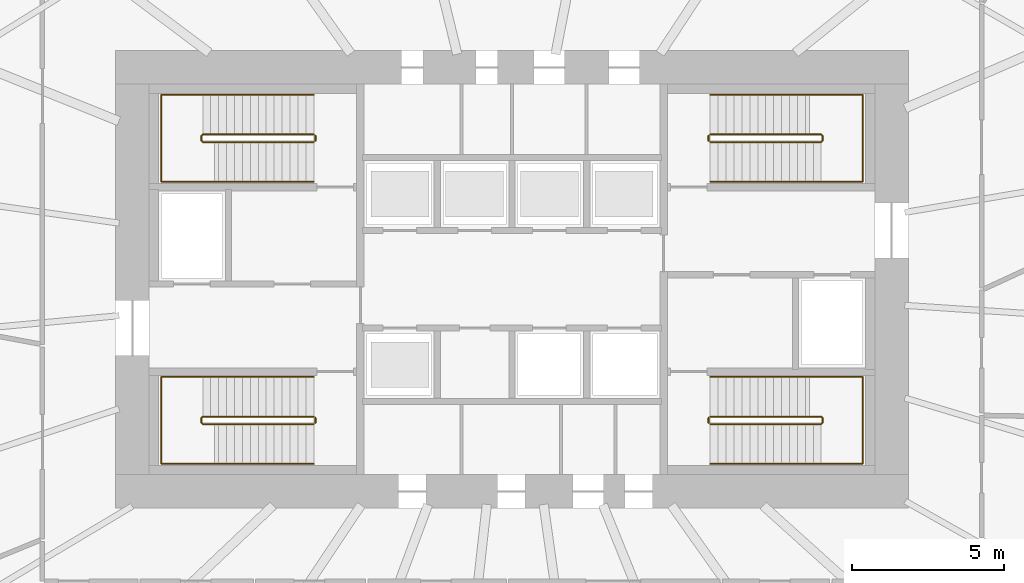
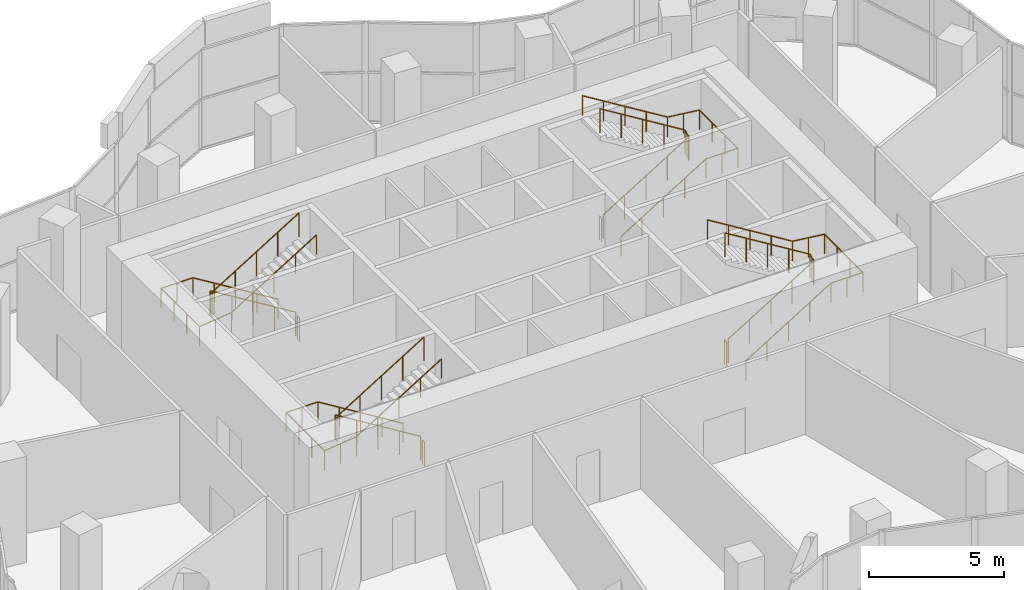
# One storey, part 15 of 16: 12 railings.
"""IFC4 building model written with IfcOpenShell, lengths in metres."""

from ifc_helpers import new_model, si_unit, direction, frame, origin, origin_2d, place, context, subcontext, project, spatial, circle, extrude, material, type_object, element, save


model = new_model("IFC4")

# Units and contexts
model_context = context("Model", 3, precision=1e-05, world=origin(), true_north=direction((0.0, 1.0)))
body_context = subcontext(model_context, "Body", "Model", "MODEL_VIEW")
ifc_project = project(units=[si_unit("LENGTHUNIT", "METRE"), si_unit("AREAUNIT", "SQUARE_METRE"), si_unit("VOLUMEUNIT", "CUBIC_METRE"), si_unit("PLANEANGLEUNIT", "RADIAN"), si_unit("MASSUNIT", "GRAM", prefix="KILO")], contexts=[model_context])

# Site, building, storey
site_placement = place(None, origin())
site = spatial("IfcSite", under=ifc_project, at=site_placement, CompositionType="ELEMENT")
building_placement = place(site_placement, origin())
building = spatial("IfcBuilding", under=site, at=building_placement, Name="Rubra Terraces Tower", CompositionType="ELEMENT")
storey_placement = place(building_placement, frame((0.0, 0.0, 125.699951171875)))
storey = spatial("IfcBuildingStorey", under=building, at=storey_placement, Name="L30", CompositionType="ELEMENT", Elevation=125.699951171875)

# Railings
ifc_material = material(Name="Stainless steel", Category="steel")
railing_type_1 = type_object("IfcRailingType", Name="Core stair guard 1100", PredefinedType="GUARDRAIL", material=ifc_material)
railing_1_placement = place(storey_placement, frame((-6.5, 0.0, 0.16015625)))
element("IfcRailing", 1, at=railing_1_placement, inside=storey, type_object=railing_type_1, Name="L30 stair S1 guard 1", PredefinedType="GUARDRAIL", context=body_context, shape_type="SweptSolid", body=[
    extrude(circle(Radius=0.02392578125, at=origin_2d()), frame((0.0, 0.0, 1.076171875), z_axis=(-0.851652432698, 0.0, 0.524106987055), x_axis=(0.0, -1.0, 0.0)), (0.0, 0.0, 1.0), 4.27392578125),
    extrude(circle(Radius=0.02392578125, at=origin_2d()), frame((-3.639892578125, 0.0, 3.31591796875), z_axis=(-0.707106781187, -0.707106781187, 0.0), x_axis=(0.707106781187, -0.707106781187, 0.0)), (0.0, 0.0, 1.0), 0.07080078125),
    extrude(circle(Radius=0.02392578125, at=origin_2d()), frame((-3.68994140625, -0.050048828125, 3.31591796875), z_axis=(0.0, -1.0, 0.0), x_axis=(1.0, 0.0, 0.0)), (0.0, 0.0, 1.0), 0.14990234375),
    extrude(circle(Radius=0.02392578125, at=origin_2d()), frame((-3.68994140625, -0.199951171875, 3.31591796875), z_axis=(0.286195917343, -0.286195917343, 0.914430857852), x_axis=(0.707106781187, 0.707106781187, 0.0)), (0.0, 0.0, 1.0), 0.1748046875),
    extrude(circle(Radius=0.02392578125, at=origin_2d()), frame((-3.639892578125, -0.25, 3.47607421875), z_axis=(0.851652432698, 0.0, 0.524106987055), x_axis=(0.0, 1.0, 0.0)), (0.0, 0.0, 1.0), 4.27392578125),
    extrude(circle(Radius=0.02099609375, at=origin_2d()), origin(), (0.0, 0.0, 1.0), 1.052001953125),
    extrude(circle(Radius=0.02099609375, at=origin_2d()), frame((-0.909912109375, 0.0, 0.56005859375)), (0.0, 0.0, 1.0), 1.052001953125),
    extrude(circle(Radius=0.02099609375, at=origin_2d()), frame((-1.81982421875, 0.0, 1.1201171875)), (0.0, 0.0, 1.0), 1.052001953125),
    extrude(circle(Radius=0.02099609375, at=origin_2d()), frame((-2.72998046875, 0.0, 1.679931640625)), (0.0, 0.0, 1.0), 1.052001953125),
    extrude(circle(Radius=0.02099609375, at=origin_2d()), frame((-3.639892578125, 0.0, 2.239990234375)), (0.0, 0.0, 1.0), 1.052001953125),
    extrude(circle(Radius=0.02099609375, at=origin_2d()), frame((-3.68994140625, -0.050048828125, 2.239990234375)), (0.0, 0.0, 1.0), 1.052001953125),
    extrude(circle(Radius=0.02099609375, at=origin_2d()), frame((-3.68994140625, -0.199951171875, 2.239990234375)), (0.0, 0.0, 1.0), 1.052001953125),
    extrude(circle(Radius=0.02099609375, at=origin_2d()), frame((-3.639892578125, -0.25, 2.39990234375)), (0.0, 0.0, 1.0), 1.052001953125),
    extrude(circle(Radius=0.02099609375, at=origin_2d()), frame((-2.72998046875, -0.25, 2.9599609375)), (0.0, 0.0, 1.0), 1.052001953125),
    extrude(circle(Radius=0.02099609375, at=origin_2d()), frame((-1.81982421875, -0.25, 3.52001953125)), (0.0, 0.0, 1.0), 1.052001953125),
    extrude(circle(Radius=0.02099609375, at=origin_2d()), frame((-0.909912109375, -0.25, 4.079833984375)), (0.0, 0.0, 1.0), 1.052001953125),
    extrude(circle(Radius=0.02099609375, at=origin_2d()), frame((0.0, -0.25, 4.639892578125)), (0.0, 0.0, 1.0), 1.052001953125),
])
railing_2_placement = place(storey_placement, frame((-6.449951171875, -0.050048828125, 0.0)))
element("IfcRailing", 2, at=railing_2_placement, inside=storey, type_object=railing_type_1, Name="L30 stair S1 guard 2", PredefinedType="GUARDRAIL", context=body_context, shape_type="SweptSolid", body=[
    extrude(circle(Radius=0.02392578125, at=origin_2d()), frame((0.0, 0.0, 1.076171875), z_axis=(0.0, -1.0, 0.0), x_axis=(1.0, 0.0, 0.0)), (0.0, 0.0, 1.0), 0.14990234375),
    extrude(circle(Radius=0.02099609375, at=origin_2d()), origin(), (0.0, 0.0, 1.0), 1.052001953125),
    extrude(circle(Radius=0.02099609375, at=origin_2d()), frame((0.0, -0.14990234375, 0.0)), (0.0, 0.0, 1.0), 1.052001953125),
])
railing_3_placement = place(storey_placement, frame((-6.5, 9.25, 0.16015625)))
element("IfcRailing", 3, at=railing_3_placement, inside=storey, type_object=railing_type_1, Name="L30 stair S2 guard 1", PredefinedType="GUARDRAIL", context=body_context, shape_type="SweptSolid", body=[
    extrude(circle(Radius=0.02392578125, at=origin_2d()), frame((0.0, 0.0, 1.076171875), z_axis=(-0.851652432698, 0.0, 0.524106987055), x_axis=(0.0, -1.0, 0.0)), (0.0, 0.0, 1.0), 4.27392578125),
    extrude(circle(Radius=0.02392578125, at=origin_2d()), frame((-3.639892578125, 0.0, 3.31591796875), z_axis=(-0.707106781187, -0.707106781187, 0.0), x_axis=(0.707106781187, -0.707106781187, 0.0)), (0.0, 0.0, 1.0), 0.07080078125),
    extrude(circle(Radius=0.02392578125, at=origin_2d()), frame((-3.68994140625, -0.050048828125, 3.31591796875), z_axis=(0.0, -1.0, 0.0), x_axis=(1.0, 0.0, 0.0)), (0.0, 0.0, 1.0), 0.14990234375),
    extrude(circle(Radius=0.02392578125, at=origin_2d()), frame((-3.68994140625, -0.199951171875, 3.31591796875), z_axis=(0.286195917343, -0.286195917343, 0.914430857852), x_axis=(0.707106781187, 0.707106781187, 0.0)), (0.0, 0.0, 1.0), 0.1748046875),
    extrude(circle(Radius=0.02392578125, at=origin_2d()), frame((-3.639892578125, -0.25, 3.47607421875), z_axis=(0.851652432698, 0.0, 0.524106987055), x_axis=(0.0, 1.0, 0.0)), (0.0, 0.0, 1.0), 4.27392578125),
    extrude(circle(Radius=0.02099609375, at=origin_2d()), origin(), (0.0, 0.0, 1.0), 1.052001953125),
    extrude(circle(Radius=0.02099609375, at=origin_2d()), frame((-0.909912109375, 0.0, 0.56005859375)), (0.0, 0.0, 1.0), 1.052001953125),
    extrude(circle(Radius=0.02099609375, at=origin_2d()), frame((-1.81982421875, 0.0, 1.1201171875)), (0.0, 0.0, 1.0), 1.052001953125),
    extrude(circle(Radius=0.02099609375, at=origin_2d()), frame((-2.72998046875, 0.0, 1.679931640625)), (0.0, 0.0, 1.0), 1.052001953125),
    extrude(circle(Radius=0.02099609375, at=origin_2d()), frame((-3.639892578125, 0.0, 2.239990234375)), (0.0, 0.0, 1.0), 1.052001953125),
    extrude(circle(Radius=0.02099609375, at=origin_2d()), frame((-3.68994140625, -0.050048828125, 2.239990234375)), (0.0, 0.0, 1.0), 1.052001953125),
    extrude(circle(Radius=0.02099609375, at=origin_2d()), frame((-3.68994140625, -0.199951171875, 2.239990234375)), (0.0, 0.0, 1.0), 1.052001953125),
    extrude(circle(Radius=0.02099609375, at=origin_2d()), frame((-3.639892578125, -0.25, 2.39990234375)), (0.0, 0.0, 1.0), 1.052001953125),
    extrude(circle(Radius=0.02099609375, at=origin_2d()), frame((-2.72998046875, -0.25, 2.9599609375)), (0.0, 0.0, 1.0), 1.052001953125),
    extrude(circle(Radius=0.02099609375, at=origin_2d()), frame((-1.81982421875, -0.25, 3.52001953125)), (0.0, 0.0, 1.0), 1.052001953125),
    extrude(circle(Radius=0.02099609375, at=origin_2d()), frame((-0.909912109375, -0.25, 4.079833984375)), (0.0, 0.0, 1.0), 1.052001953125),
    extrude(circle(Radius=0.02099609375, at=origin_2d()), frame((0.0, -0.25, 4.639892578125)), (0.0, 0.0, 1.0), 1.052001953125),
])
railing_4_placement = place(storey_placement, frame((-6.449951171875, 9.199951171875, 0.0)))
element("IfcRailing", 4, at=railing_4_placement, inside=storey, type_object=railing_type_1, Name="L30 stair S2 guard 2", PredefinedType="GUARDRAIL", context=body_context, shape_type="SweptSolid", body=[
    extrude(circle(Radius=0.02392578125, at=origin_2d()), frame((0.0, 0.0, 1.076171875), z_axis=(0.0, -1.0, 0.0), x_axis=(1.0, 0.0, 0.0)), (0.0, 0.0, 1.0), 0.14990234375),
    extrude(circle(Radius=0.02099609375, at=origin_2d()), origin(), (0.0, 0.0, 1.0), 1.052001953125),
    extrude(circle(Radius=0.02099609375, at=origin_2d()), frame((0.0, -0.14990234375, 0.0)), (0.0, 0.0, 1.0), 1.052001953125),
])
railing_5_placement = place(storey_placement, frame((6.5, 9.0, 0.16015625)))
element("IfcRailing", 5, at=railing_5_placement, inside=storey, type_object=railing_type_1, Name="L30 stair S3 guard 1", PredefinedType="GUARDRAIL", context=body_context, shape_type="SweptSolid", body=[
    extrude(circle(Radius=0.02392578125, at=origin_2d()), frame((0.0, 0.0, 1.076171875), z_axis=(0.851652432698, 0.0, 0.524106987055), x_axis=(0.0, 1.0, 0.0)), (0.0, 0.0, 1.0), 4.27392578125),
    extrude(circle(Radius=0.02392578125, at=origin_2d()), frame((3.639892578125, 0.0, 3.31591796875), z_axis=(0.707106781187, 0.707106781187, 0.0), x_axis=(-0.707106781187, 0.707106781187, 0.0)), (0.0, 0.0, 1.0), 0.07080078125),
    extrude(circle(Radius=0.02392578125, at=origin_2d()), frame((3.68994140625, 0.050048828125, 3.31591796875), z_axis=(0.0, 1.0, 0.0), x_axis=(-1.0, 0.0, 0.0)), (0.0, 0.0, 1.0), 0.14990234375),
    extrude(circle(Radius=0.02392578125, at=origin_2d()), frame((3.68994140625, 0.199951171875, 3.31591796875), z_axis=(-0.286195917343, 0.286195917343, 0.914430857852), x_axis=(-0.707106781187, -0.707106781187, 0.0)), (0.0, 0.0, 1.0), 0.1748046875),
    extrude(circle(Radius=0.02392578125, at=origin_2d()), frame((3.639892578125, 0.25, 3.47607421875), z_axis=(-0.851652432698, 0.0, 0.524106987055), x_axis=(0.0, -1.0, 0.0)), (0.0, 0.0, 1.0), 4.27392578125),
    extrude(circle(Radius=0.02099609375, at=origin_2d()), origin(), (0.0, 0.0, 1.0), 1.052001953125),
    extrude(circle(Radius=0.02099609375, at=origin_2d()), frame((0.909912109375, 0.0, 0.56005859375)), (0.0, 0.0, 1.0), 1.052001953125),
    extrude(circle(Radius=0.02099609375, at=origin_2d()), frame((1.81982421875, 0.0, 1.1201171875)), (0.0, 0.0, 1.0), 1.052001953125),
    extrude(circle(Radius=0.02099609375, at=origin_2d()), frame((2.72998046875, 0.0, 1.679931640625)), (0.0, 0.0, 1.0), 1.052001953125),
    extrude(circle(Radius=0.02099609375, at=origin_2d()), frame((3.639892578125, 0.0, 2.239990234375)), (0.0, 0.0, 1.0), 1.052001953125),
    extrude(circle(Radius=0.02099609375, at=origin_2d()), frame((3.68994140625, 0.050048828125, 2.239990234375)), (0.0, 0.0, 1.0), 1.052001953125),
    extrude(circle(Radius=0.02099609375, at=origin_2d()), frame((3.68994140625, 0.199951171875, 2.239990234375)), (0.0, 0.0, 1.0), 1.052001953125),
    extrude(circle(Radius=0.02099609375, at=origin_2d()), frame((3.639892578125, 0.25, 2.39990234375)), (0.0, 0.0, 1.0), 1.052001953125),
    extrude(circle(Radius=0.02099609375, at=origin_2d()), frame((2.72998046875, 0.25, 2.9599609375)), (0.0, 0.0, 1.0), 1.052001953125),
    extrude(circle(Radius=0.02099609375, at=origin_2d()), frame((1.81982421875, 0.25, 3.52001953125)), (0.0, 0.0, 1.0), 1.052001953125),
    extrude(circle(Radius=0.02099609375, at=origin_2d()), frame((0.909912109375, 0.25, 4.079833984375)), (0.0, 0.0, 1.0), 1.052001953125),
    extrude(circle(Radius=0.02099609375, at=origin_2d()), frame((0.0, 0.25, 4.639892578125)), (0.0, 0.0, 1.0), 1.052001953125),
])
railing_6_placement = place(storey_placement, frame((6.449951171875, 9.050048828125, 0.0)))
element("IfcRailing", 6, at=railing_6_placement, inside=storey, type_object=railing_type_1, Name="L30 stair S3 guard 2", PredefinedType="GUARDRAIL", context=body_context, shape_type="SweptSolid", body=[
    extrude(circle(Radius=0.02392578125, at=origin_2d()), frame((0.0, 0.0, 1.076171875), z_axis=(0.0, 1.0, 0.0), x_axis=(-1.0, 0.0, 0.0)), (0.0, 0.0, 1.0), 0.14990234375),
    extrude(circle(Radius=0.02099609375, at=origin_2d()), origin(), (0.0, 0.0, 1.0), 1.052001953125),
    extrude(circle(Radius=0.02099609375, at=origin_2d()), frame((0.0, 0.14990234375, 0.0)), (0.0, 0.0, 1.0), 1.052001953125),
])
railing_7_placement = place(storey_placement, frame((6.5, -0.25, 0.16015625)))
element("IfcRailing", 7, at=railing_7_placement, inside=storey, type_object=railing_type_1, Name="L30 stair S4 guard 1", PredefinedType="GUARDRAIL", context=body_context, shape_type="SweptSolid", body=[
    extrude(circle(Radius=0.02392578125, at=origin_2d()), frame((0.0, 0.0, 1.076171875), z_axis=(0.851652432698, 0.0, 0.524106987055), x_axis=(0.0, 1.0, 0.0)), (0.0, 0.0, 1.0), 4.27392578125),
    extrude(circle(Radius=0.02392578125, at=origin_2d()), frame((3.639892578125, 0.0, 3.31591796875), z_axis=(0.707106781187, 0.707106781187, 0.0), x_axis=(-0.707106781187, 0.707106781187, 0.0)), (0.0, 0.0, 1.0), 0.07080078125),
    extrude(circle(Radius=0.02392578125, at=origin_2d()), frame((3.68994140625, 0.050048828125, 3.31591796875), z_axis=(0.0, 1.0, 0.0), x_axis=(-1.0, 0.0, 0.0)), (0.0, 0.0, 1.0), 0.14990234375),
    extrude(circle(Radius=0.02392578125, at=origin_2d()), frame((3.68994140625, 0.199951171875, 3.31591796875), z_axis=(-0.286195917343, 0.286195917343, 0.914430857852), x_axis=(-0.707106781187, -0.707106781187, 0.0)), (0.0, 0.0, 1.0), 0.1748046875),
    extrude(circle(Radius=0.02392578125, at=origin_2d()), frame((3.639892578125, 0.25, 3.47607421875), z_axis=(-0.851652432698, 0.0, 0.524106987055), x_axis=(0.0, -1.0, 0.0)), (0.0, 0.0, 1.0), 4.27392578125),
    extrude(circle(Radius=0.02099609375, at=origin_2d()), origin(), (0.0, 0.0, 1.0), 1.052001953125),
    extrude(circle(Radius=0.02099609375, at=origin_2d()), frame((0.909912109375, 0.0, 0.56005859375)), (0.0, 0.0, 1.0), 1.052001953125),
    extrude(circle(Radius=0.02099609375, at=origin_2d()), frame((1.81982421875, 0.0, 1.1201171875)), (0.0, 0.0, 1.0), 1.052001953125),
    extrude(circle(Radius=0.02099609375, at=origin_2d()), frame((2.72998046875, 0.0, 1.679931640625)), (0.0, 0.0, 1.0), 1.052001953125),
    extrude(circle(Radius=0.02099609375, at=origin_2d()), frame((3.639892578125, 0.0, 2.239990234375)), (0.0, 0.0, 1.0), 1.052001953125),
    extrude(circle(Radius=0.02099609375, at=origin_2d()), frame((3.68994140625, 0.050048828125, 2.239990234375)), (0.0, 0.0, 1.0), 1.052001953125),
    extrude(circle(Radius=0.02099609375, at=origin_2d()), frame((3.68994140625, 0.199951171875, 2.239990234375)), (0.0, 0.0, 1.0), 1.052001953125),
    extrude(circle(Radius=0.02099609375, at=origin_2d()), frame((3.639892578125, 0.25, 2.39990234375)), (0.0, 0.0, 1.0), 1.052001953125),
    extrude(circle(Radius=0.02099609375, at=origin_2d()), frame((2.72998046875, 0.25, 2.9599609375)), (0.0, 0.0, 1.0), 1.052001953125),
    extrude(circle(Radius=0.02099609375, at=origin_2d()), frame((1.81982421875, 0.25, 3.52001953125)), (0.0, 0.0, 1.0), 1.052001953125),
    extrude(circle(Radius=0.02099609375, at=origin_2d()), frame((0.909912109375, 0.25, 4.079833984375)), (0.0, 0.0, 1.0), 1.052001953125),
    extrude(circle(Radius=0.02099609375, at=origin_2d()), frame((0.0, 0.25, 4.639892578125)), (0.0, 0.0, 1.0), 1.052001953125),
])
railing_8_placement = place(storey_placement, frame((6.449951171875, -0.199951171875, 0.0)))
element("IfcRailing", 8, at=railing_8_placement, inside=storey, type_object=railing_type_1, Name="L30 stair S4 guard 2", PredefinedType="GUARDRAIL", context=body_context, shape_type="SweptSolid", body=[
    extrude(circle(Radius=0.02392578125, at=origin_2d()), frame((0.0, 0.0, 1.076171875), z_axis=(0.0, 1.0, 0.0), x_axis=(-1.0, 0.0, 0.0)), (0.0, 0.0, 1.0), 0.14990234375),
    extrude(circle(Radius=0.02099609375, at=origin_2d()), origin(), (0.0, 0.0, 1.0), 1.052001953125),
    extrude(circle(Radius=0.02099609375, at=origin_2d()), frame((0.0, 0.14990234375, 0.0)), (0.0, 0.0, 1.0), 1.052001953125),
])
railing_type_2 = type_object("IfcRailingType", Name="Core stair handrail 900", PredefinedType="HANDRAIL", material=ifc_material)
railing_9_placement = place(storey_placement, frame((-6.5, 1.300048828125, 0.16015625)))
element("IfcRailing", 9, at=railing_9_placement, inside=storey, type_object=railing_type_2, Name="L30 stair S1 handrail 1", PredefinedType="HANDRAIL", context=body_context, shape_type="SweptSolid", body=[
    extrude(circle(Radius=0.02392578125, at=origin_2d()), frame((0.0, 0.0, 0.8759765625), z_axis=(-0.851652432698, 0.0, 0.524106987055), x_axis=(0.0, -1.0, 0.0)), (0.0, 0.0, 1.0), 4.27392578125),
    extrude(circle(Radius=0.02392578125, at=origin_2d()), frame((-3.639892578125, 0.0, 3.11572265625), z_axis=(-1.0, 0.0, 0.0), x_axis=(0.0, -1.0, 0.0)), (0.0, 0.0, 1.0), 1.360107421875),
    extrude(circle(Radius=0.02392578125, at=origin_2d()), frame((-5.0, 0.0, 3.11572265625), z_axis=(0.0, -1.0, 0.0), x_axis=(1.0, 0.0, 0.0)), (0.0, 0.0, 1.0), 2.85009765625),
    extrude(circle(Radius=0.02392578125, at=origin_2d()), frame((-5.0, -2.85009765625, 3.11572265625), z_axis=(0.993159119849, 0.0, 0.116768842847), x_axis=(0.0, 1.0, 0.0)), (0.0, 0.0, 1.0), 1.369384765625),
    extrude(circle(Radius=0.02392578125, at=origin_2d()), frame((-3.639892578125, -2.85009765625, 3.27587890625), z_axis=(0.851652432698, 0.0, 0.524106987055), x_axis=(0.0, 1.0, 0.0)), (0.0, 0.0, 1.0), 4.27392578125),
    extrude(circle(Radius=0.02099609375, at=origin_2d()), origin(), (0.0, 0.0, 1.0), 0.851806640625),
    extrude(circle(Radius=0.02099609375, at=origin_2d()), frame((-0.909912109375, 0.0, 0.56005859375)), (0.0, 0.0, 1.0), 0.851806640625),
    extrude(circle(Radius=0.02099609375, at=origin_2d()), frame((-1.81982421875, 0.0, 1.1201171875)), (0.0, 0.0, 1.0), 0.851806640625),
    extrude(circle(Radius=0.02099609375, at=origin_2d()), frame((-2.72998046875, 0.0, 1.679931640625)), (0.0, 0.0, 1.0), 0.851806640625),
    extrude(circle(Radius=0.02099609375, at=origin_2d()), frame((-3.639892578125, 0.0, 2.239990234375)), (0.0, 0.0, 1.0), 0.851806640625),
    extrude(circle(Radius=0.02099609375, at=origin_2d()), frame((-4.31982421875, 0.0, 2.239990234375)), (0.0, 0.0, 1.0), 0.851806640625),
    extrude(circle(Radius=0.02099609375, at=origin_2d()), frame((-5.0, 0.0, 2.239990234375)), (0.0, 0.0, 1.0), 0.851806640625),
    extrude(circle(Radius=0.02099609375, at=origin_2d()), frame((-5.0, -0.949951171875, 2.239990234375)), (0.0, 0.0, 1.0), 0.851806640625),
    extrude(circle(Radius=0.02099609375, at=origin_2d()), frame((-5.0, -1.900146484375, 2.239990234375)), (0.0, 0.0, 1.0), 0.851806640625),
    extrude(circle(Radius=0.02099609375, at=origin_2d()), frame((-5.0, -2.85009765625, 2.239990234375)), (0.0, 0.0, 1.0), 0.851806640625),
    extrude(circle(Radius=0.02099609375, at=origin_2d()), frame((-4.31982421875, -2.85009765625, 2.31982421875)), (0.0, 0.0, 1.0), 0.851806640625),
    extrude(circle(Radius=0.02099609375, at=origin_2d()), frame((-3.639892578125, -2.85009765625, 2.39990234375)), (0.0, 0.0, 1.0), 0.851806640625),
    extrude(circle(Radius=0.02099609375, at=origin_2d()), frame((-2.72998046875, -2.85009765625, 2.9599609375)), (0.0, 0.0, 1.0), 0.851806640625),
    extrude(circle(Radius=0.02099609375, at=origin_2d()), frame((-1.81982421875, -2.85009765625, 3.52001953125)), (0.0, 0.0, 1.0), 0.851806640625),
    extrude(circle(Radius=0.02099609375, at=origin_2d()), frame((-0.909912109375, -2.85009765625, 4.079833984375)), (0.0, 0.0, 1.0), 0.851806640625),
    extrude(circle(Radius=0.02099609375, at=origin_2d()), frame((0.0, -2.85009765625, 4.639892578125)), (0.0, 0.0, 1.0), 0.851806640625),
])
railing_10_placement = place(storey_placement, frame((-6.5, 10.550048828125, 0.16015625)))
element("IfcRailing", 10, at=railing_10_placement, inside=storey, type_object=railing_type_2, Name="L30 stair S2 handrail 1", PredefinedType="HANDRAIL", context=body_context, shape_type="SweptSolid", body=[
    extrude(circle(Radius=0.02392578125, at=origin_2d()), frame((0.0, 0.0, 0.8759765625), z_axis=(-0.851652432698, 0.0, 0.524106987055), x_axis=(0.0, -1.0, 0.0)), (0.0, 0.0, 1.0), 4.27392578125),
    extrude(circle(Radius=0.02392578125, at=origin_2d()), frame((-3.639892578125, 0.0, 3.11572265625), z_axis=(-1.0, 0.0, 0.0), x_axis=(0.0, -1.0, 0.0)), (0.0, 0.0, 1.0), 1.360107421875),
    extrude(circle(Radius=0.02392578125, at=origin_2d()), frame((-5.0, 0.0, 3.11572265625), z_axis=(0.0, -1.0, 0.0), x_axis=(1.0, 0.0, 0.0)), (0.0, 0.0, 1.0), 2.85009765625),
    extrude(circle(Radius=0.02392578125, at=origin_2d()), frame((-5.0, -2.85009765625, 3.11572265625), z_axis=(0.993159119849, 0.0, 0.116768842847), x_axis=(0.0, 1.0, 0.0)), (0.0, 0.0, 1.0), 1.369384765625),
    extrude(circle(Radius=0.02392578125, at=origin_2d()), frame((-3.639892578125, -2.85009765625, 3.27587890625), z_axis=(0.851652432698, 0.0, 0.524106987055), x_axis=(0.0, 1.0, 0.0)), (0.0, 0.0, 1.0), 4.27392578125),
    extrude(circle(Radius=0.02099609375, at=origin_2d()), origin(), (0.0, 0.0, 1.0), 0.851806640625),
    extrude(circle(Radius=0.02099609375, at=origin_2d()), frame((-0.909912109375, 0.0, 0.56005859375)), (0.0, 0.0, 1.0), 0.851806640625),
    extrude(circle(Radius=0.02099609375, at=origin_2d()), frame((-1.81982421875, 0.0, 1.1201171875)), (0.0, 0.0, 1.0), 0.851806640625),
    extrude(circle(Radius=0.02099609375, at=origin_2d()), frame((-2.72998046875, 0.0, 1.679931640625)), (0.0, 0.0, 1.0), 0.851806640625),
    extrude(circle(Radius=0.02099609375, at=origin_2d()), frame((-3.639892578125, 0.0, 2.239990234375)), (0.0, 0.0, 1.0), 0.851806640625),
    extrude(circle(Radius=0.02099609375, at=origin_2d()), frame((-4.31982421875, 0.0, 2.239990234375)), (0.0, 0.0, 1.0), 0.851806640625),
    extrude(circle(Radius=0.02099609375, at=origin_2d()), frame((-5.0, 0.0, 2.239990234375)), (0.0, 0.0, 1.0), 0.851806640625),
    extrude(circle(Radius=0.02099609375, at=origin_2d()), frame((-5.0, -0.949951171875, 2.239990234375)), (0.0, 0.0, 1.0), 0.851806640625),
    extrude(circle(Radius=0.02099609375, at=origin_2d()), frame((-5.0, -1.900146484375, 2.239990234375)), (0.0, 0.0, 1.0), 0.851806640625),
    extrude(circle(Radius=0.02099609375, at=origin_2d()), frame((-5.0, -2.85009765625, 2.239990234375)), (0.0, 0.0, 1.0), 0.851806640625),
    extrude(circle(Radius=0.02099609375, at=origin_2d()), frame((-4.31982421875, -2.85009765625, 2.31982421875)), (0.0, 0.0, 1.0), 0.851806640625),
    extrude(circle(Radius=0.02099609375, at=origin_2d()), frame((-3.639892578125, -2.85009765625, 2.39990234375)), (0.0, 0.0, 1.0), 0.851806640625),
    extrude(circle(Radius=0.02099609375, at=origin_2d()), frame((-2.72998046875, -2.85009765625, 2.9599609375)), (0.0, 0.0, 1.0), 0.851806640625),
    extrude(circle(Radius=0.02099609375, at=origin_2d()), frame((-1.81982421875, -2.85009765625, 3.52001953125)), (0.0, 0.0, 1.0), 0.851806640625),
    extrude(circle(Radius=0.02099609375, at=origin_2d()), frame((-0.909912109375, -2.85009765625, 4.079833984375)), (0.0, 0.0, 1.0), 0.851806640625),
    extrude(circle(Radius=0.02099609375, at=origin_2d()), frame((0.0, -2.85009765625, 4.639892578125)), (0.0, 0.0, 1.0), 0.851806640625),
])
railing_11_placement = place(storey_placement, frame((6.5, 7.699951171875, 0.16015625)))
element("IfcRailing", 11, at=railing_11_placement, inside=storey, type_object=railing_type_2, Name="L30 stair S3 handrail 1", PredefinedType="HANDRAIL", context=body_context, shape_type="SweptSolid", body=[
    extrude(circle(Radius=0.02392578125, at=origin_2d()), frame((0.0, 0.0, 0.8759765625), z_axis=(0.851652432698, 0.0, 0.524106987055), x_axis=(0.0, 1.0, 0.0)), (0.0, 0.0, 1.0), 4.27392578125),
    extrude(circle(Radius=0.02392578125, at=origin_2d()), frame((3.639892578125, 0.0, 3.11572265625), z_axis=(1.0, 0.0, 0.0), x_axis=(0.0, 1.0, 0.0)), (0.0, 0.0, 1.0), 1.360107421875),
    extrude(circle(Radius=0.02392578125, at=origin_2d()), frame((5.0, 0.0, 3.11572265625), z_axis=(0.0, 1.0, 0.0), x_axis=(-1.0, 0.0, 0.0)), (0.0, 0.0, 1.0), 2.85009765625),
    extrude(circle(Radius=0.02392578125, at=origin_2d()), frame((5.0, 2.85009765625, 3.11572265625), z_axis=(-0.993159119849, 0.0, 0.116768842847), x_axis=(0.0, -1.0, 0.0)), (0.0, 0.0, 1.0), 1.369384765625),
    extrude(circle(Radius=0.02392578125, at=origin_2d()), frame((3.639892578125, 2.85009765625, 3.27587890625), z_axis=(-0.851652432698, 0.0, 0.524106987055), x_axis=(0.0, -1.0, 0.0)), (0.0, 0.0, 1.0), 4.27392578125),
    extrude(circle(Radius=0.02099609375, at=origin_2d()), origin(), (0.0, 0.0, 1.0), 0.851806640625),
    extrude(circle(Radius=0.02099609375, at=origin_2d()), frame((0.909912109375, 0.0, 0.56005859375)), (0.0, 0.0, 1.0), 0.851806640625),
    extrude(circle(Radius=0.02099609375, at=origin_2d()), frame((1.81982421875, 0.0, 1.1201171875)), (0.0, 0.0, 1.0), 0.851806640625),
    extrude(circle(Radius=0.02099609375, at=origin_2d()), frame((2.72998046875, 0.0, 1.679931640625)), (0.0, 0.0, 1.0), 0.851806640625),
    extrude(circle(Radius=0.02099609375, at=origin_2d()), frame((3.639892578125, 0.0, 2.239990234375)), (0.0, 0.0, 1.0), 0.851806640625),
    extrude(circle(Radius=0.02099609375, at=origin_2d()), frame((4.31982421875, 0.0, 2.239990234375)), (0.0, 0.0, 1.0), 0.851806640625),
    extrude(circle(Radius=0.02099609375, at=origin_2d()), frame((5.0, 0.0, 2.239990234375)), (0.0, 0.0, 1.0), 0.851806640625),
    extrude(circle(Radius=0.02099609375, at=origin_2d()), frame((5.0, 0.949951171875, 2.239990234375)), (0.0, 0.0, 1.0), 0.851806640625),
    extrude(circle(Radius=0.02099609375, at=origin_2d()), frame((5.0, 1.900146484375, 2.239990234375)), (0.0, 0.0, 1.0), 0.851806640625),
    extrude(circle(Radius=0.02099609375, at=origin_2d()), frame((5.0, 2.85009765625, 2.239990234375)), (0.0, 0.0, 1.0), 0.851806640625),
    extrude(circle(Radius=0.02099609375, at=origin_2d()), frame((4.31982421875, 2.85009765625, 2.31982421875)), (0.0, 0.0, 1.0), 0.851806640625),
    extrude(circle(Radius=0.02099609375, at=origin_2d()), frame((3.639892578125, 2.85009765625, 2.39990234375)), (0.0, 0.0, 1.0), 0.851806640625),
    extrude(circle(Radius=0.02099609375, at=origin_2d()), frame((2.72998046875, 2.85009765625, 2.9599609375)), (0.0, 0.0, 1.0), 0.851806640625),
    extrude(circle(Radius=0.02099609375, at=origin_2d()), frame((1.81982421875, 2.85009765625, 3.52001953125)), (0.0, 0.0, 1.0), 0.851806640625),
    extrude(circle(Radius=0.02099609375, at=origin_2d()), frame((0.909912109375, 2.85009765625, 4.079833984375)), (0.0, 0.0, 1.0), 0.851806640625),
    extrude(circle(Radius=0.02099609375, at=origin_2d()), frame((0.0, 2.85009765625, 4.639892578125)), (0.0, 0.0, 1.0), 0.851806640625),
])
railing_12_placement = place(storey_placement, frame((6.5, -1.550048828125, 0.16015625)))
element("IfcRailing", 12, at=railing_12_placement, inside=storey, type_object=railing_type_2, Name="L30 stair S4 handrail 1", PredefinedType="HANDRAIL", context=body_context, shape_type="SweptSolid", body=[
    extrude(circle(Radius=0.02392578125, at=origin_2d()), frame((0.0, 0.0, 0.8759765625), z_axis=(0.851652432698, 0.0, 0.524106987055), x_axis=(0.0, 1.0, 0.0)), (0.0, 0.0, 1.0), 4.27392578125),
    extrude(circle(Radius=0.02392578125, at=origin_2d()), frame((3.639892578125, 0.0, 3.11572265625), z_axis=(1.0, 0.0, 0.0), x_axis=(0.0, 1.0, 0.0)), (0.0, 0.0, 1.0), 1.360107421875),
    extrude(circle(Radius=0.02392578125, at=origin_2d()), frame((5.0, 0.0, 3.11572265625), z_axis=(0.0, 1.0, 0.0), x_axis=(-1.0, 0.0, 0.0)), (0.0, 0.0, 1.0), 2.85009765625),
    extrude(circle(Radius=0.02392578125, at=origin_2d()), frame((5.0, 2.85009765625, 3.11572265625), z_axis=(-0.993159119849, 0.0, 0.116768842847), x_axis=(0.0, -1.0, 0.0)), (0.0, 0.0, 1.0), 1.369384765625),
    extrude(circle(Radius=0.02392578125, at=origin_2d()), frame((3.639892578125, 2.85009765625, 3.27587890625), z_axis=(-0.851652432698, 0.0, 0.524106987055), x_axis=(0.0, -1.0, 0.0)), (0.0, 0.0, 1.0), 4.27392578125),
    extrude(circle(Radius=0.02099609375, at=origin_2d()), origin(), (0.0, 0.0, 1.0), 0.851806640625),
    extrude(circle(Radius=0.02099609375, at=origin_2d()), frame((0.909912109375, 0.0, 0.56005859375)), (0.0, 0.0, 1.0), 0.851806640625),
    extrude(circle(Radius=0.02099609375, at=origin_2d()), frame((1.81982421875, 0.0, 1.1201171875)), (0.0, 0.0, 1.0), 0.851806640625),
    extrude(circle(Radius=0.02099609375, at=origin_2d()), frame((2.72998046875, 0.0, 1.679931640625)), (0.0, 0.0, 1.0), 0.851806640625),
    extrude(circle(Radius=0.02099609375, at=origin_2d()), frame((3.639892578125, 0.0, 2.239990234375)), (0.0, 0.0, 1.0), 0.851806640625),
    extrude(circle(Radius=0.02099609375, at=origin_2d()), frame((4.31982421875, 0.0, 2.239990234375)), (0.0, 0.0, 1.0), 0.851806640625),
    extrude(circle(Radius=0.02099609375, at=origin_2d()), frame((5.0, 0.0, 2.239990234375)), (0.0, 0.0, 1.0), 0.851806640625),
    extrude(circle(Radius=0.02099609375, at=origin_2d()), frame((5.0, 0.949951171875, 2.239990234375)), (0.0, 0.0, 1.0), 0.851806640625),
    extrude(circle(Radius=0.02099609375, at=origin_2d()), frame((5.0, 1.900146484375, 2.239990234375)), (0.0, 0.0, 1.0), 0.851806640625),
    extrude(circle(Radius=0.02099609375, at=origin_2d()), frame((5.0, 2.85009765625, 2.239990234375)), (0.0, 0.0, 1.0), 0.851806640625),
    extrude(circle(Radius=0.02099609375, at=origin_2d()), frame((4.31982421875, 2.85009765625, 2.31982421875)), (0.0, 0.0, 1.0), 0.851806640625),
    extrude(circle(Radius=0.02099609375, at=origin_2d()), frame((3.639892578125, 2.85009765625, 2.39990234375)), (0.0, 0.0, 1.0), 0.851806640625),
    extrude(circle(Radius=0.02099609375, at=origin_2d()), frame((2.72998046875, 2.85009765625, 2.9599609375)), (0.0, 0.0, 1.0), 0.851806640625),
    extrude(circle(Radius=0.02099609375, at=origin_2d()), frame((1.81982421875, 2.85009765625, 3.52001953125)), (0.0, 0.0, 1.0), 0.851806640625),
    extrude(circle(Radius=0.02099609375, at=origin_2d()), frame((0.909912109375, 2.85009765625, 4.079833984375)), (0.0, 0.0, 1.0), 0.851806640625),
    extrude(circle(Radius=0.02099609375, at=origin_2d()), frame((0.0, 2.85009765625, 4.639892578125)), (0.0, 0.0, 1.0), 0.851806640625),
])

save(model, "model.ifc")
